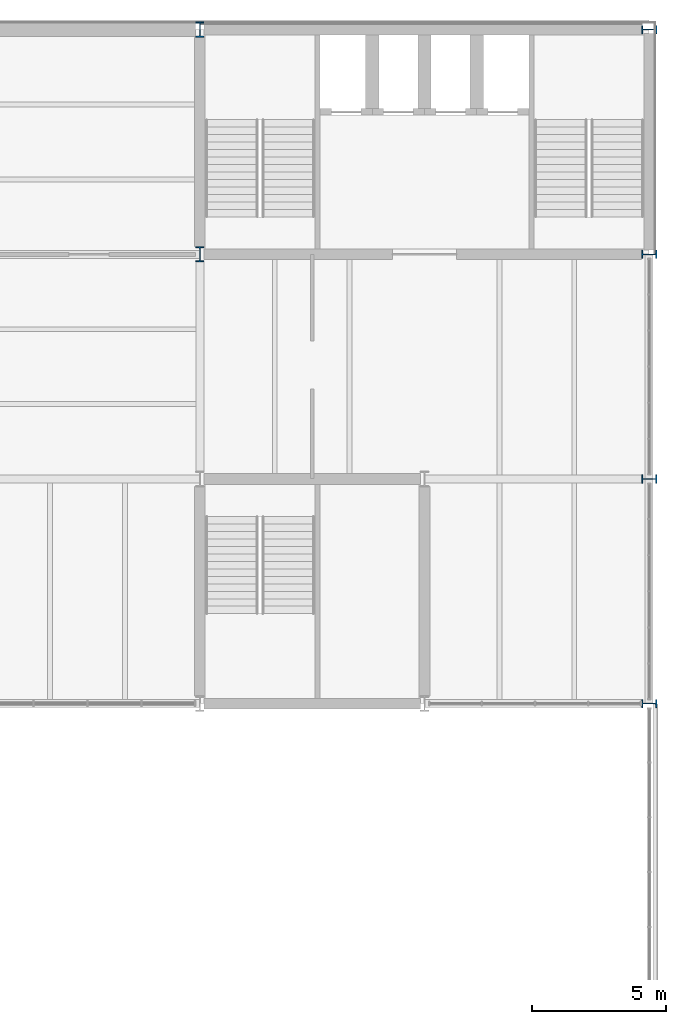
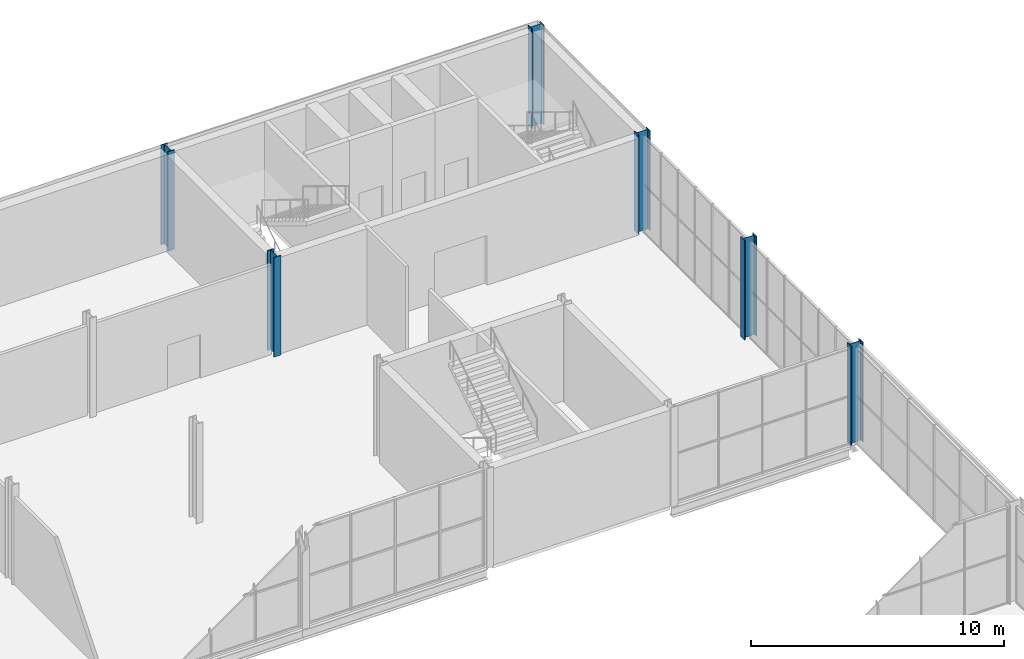
# One storey, part 8 of 61: 6 columns.
"""IFC4 building model written with IfcOpenShell, lengths in metres."""

from ifc_helpers import new_model, si_unit, direction, frame, origin, origin_2d, place, context, subcontext, project, spatial, i_section, extrude, material, material_profile, profile_set, type_object, element, save


model = new_model("IFC4")

# Units and contexts
model_context = context("Model", 3, precision=1e-05, world=origin(), true_north=direction((0.0, 1.0)))
body_context = subcontext(model_context, "Body", "Model", "MODEL_VIEW")
ifc_project = project(units=[si_unit("LENGTHUNIT", "METRE"), si_unit("AREAUNIT", "SQUARE_METRE"), si_unit("VOLUMEUNIT", "CUBIC_METRE"), si_unit("PLANEANGLEUNIT", "RADIAN"), si_unit("MASSUNIT", "GRAM", prefix="KILO")], contexts=[model_context])

# Site, building, storey
site_placement = place(None, origin())
site = spatial("IfcSite", under=ifc_project, at=site_placement, CompositionType="ELEMENT")
building_placement = place(site_placement, origin())
building = spatial("IfcBuilding", under=site, at=building_placement, Name="Galleria Vessillo Department Store", CompositionType="ELEMENT")
storey_placement = place(building_placement, frame((0.0, 0.0, 11.39990234375)))
storey = spatial("IfcBuildingStorey", under=building, at=storey_placement, Name="L02", CompositionType="ELEMENT", Elevation=11.39990234375)

# Columns
ifc_material = material(Name="Steel S355 J2", Category="steel")
ifc_material_profile = material_profile(ifc_material, i_section(OverallWidth=0.305908203125, OverallDepth=0.572021484375, WebThickness=0.02099609375, FlangeThickness=0.0400390625, FilletRadius=0.027099609375, at=origin_2d()), Name="HEM 550")
ifc_profile_set = profile_set([ifc_material_profile], Name="Steel S355 J2")
column_type = type_object("IfcColumnType", Name="Steel column HEM 550 CT1", PredefinedType="COLUMN", material=ifc_profile_set)
for number, where, z_axis, x_axis, name in (
    (1, (100.800048828125, 54.60009765625, 0.0), (0.0, 0.0, 1.0), (1.0, 0.0, 0.0), "S-COL-L02-13-G"),
    (2, (100.800048828125, 63.0, 0.0), (0.0, 0.0, 1.0), (1.0, 0.0, 0.0), "S-COL-L02-13-H"),
    (3, (117.60009765625, 37.800048828125, 0.0), (0.0, 0.0, 1.0), (0.0, 1.0, 0.0), "S-COL-L02-15-E"),
    (4, (117.60009765625, 46.199951171875, 0.0), (0.0, 0.0, 1.0), (0.0, 1.0, 0.0), "S-COL-L02-15-F"),
    (5, (117.60009765625, 54.60009765625, 0.0), (0.0, 0.0, 1.0), (0.0, 1.0, 0.0), "S-COL-L02-15-G"),
    (6, (117.60009765625, 63.0, 0.0), (0.0, 0.0, 1.0), (0.0, 1.0, 0.0), "S-COL-L02-15-H"),
):
    element("IfcColumn", number, at=place(storey_placement, frame(where, z_axis=z_axis, x_axis=x_axis)), inside=storey, type_object=column_type, Name=name, PredefinedType="COLUMN", context=body_context, shape_type="SweptSolid", body=[
        extrude(i_section(OverallWidth=0.305908203125, OverallDepth=0.572021484375, WebThickness=0.02099609375, FlangeThickness=0.0400390625, FilletRadius=0.027099609375, at=origin_2d()), origin(), (0.0, 0.0, 1.0), 4.800048828125),
    ])

save(model, "model.ifc")
